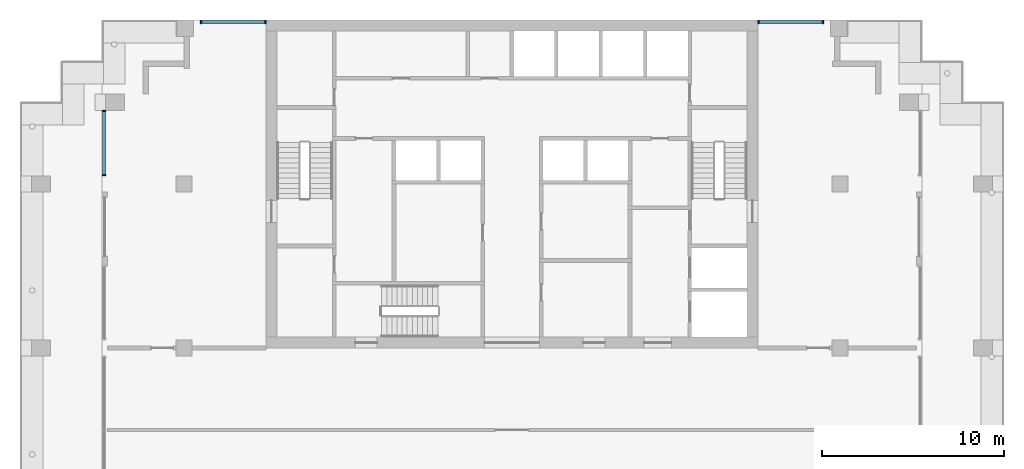
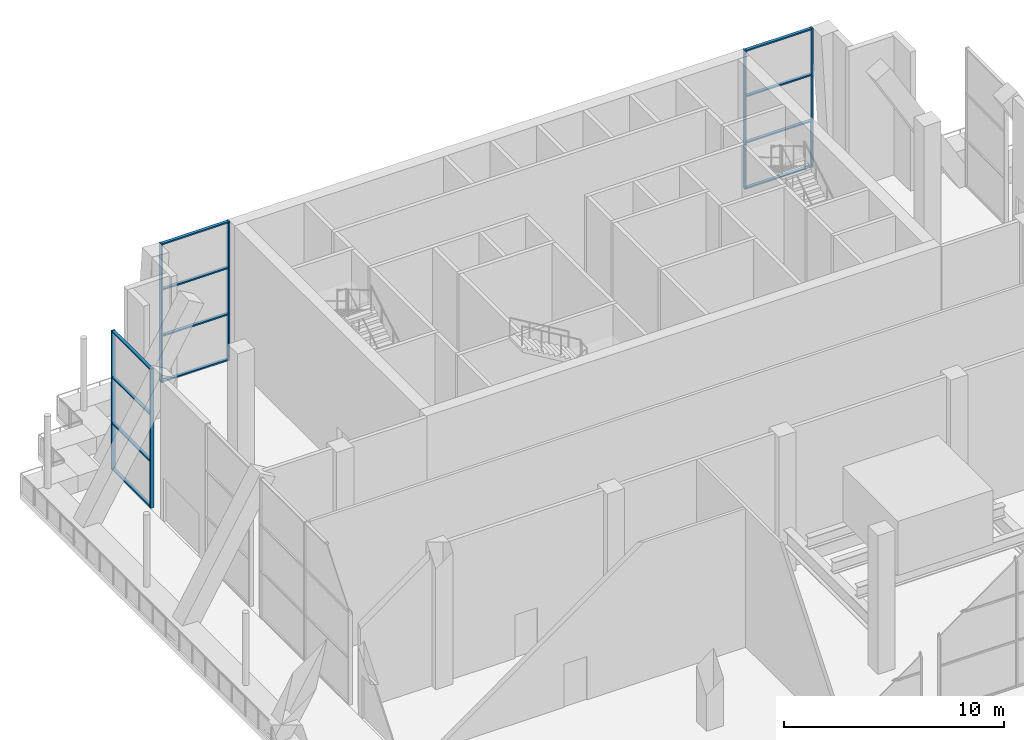
# One storey, part 4 of 12: 18 members, 3 elements without a shape of their own.
"""IFC4 building model written with IfcOpenShell, lengths in metres."""

from ifc_helpers import new_model, si_unit, direction, frame, origin, origin_2d, place, context, subcontext, project, spatial, rectangle, extrude, material, material_profile, profile_set, type_object, element, aggregate, save


model = new_model("IFC4")

# Units and contexts
model_context = context("Model", 3, precision=1e-05, world=origin(), true_north=direction((0.0, 1.0)))
body_context = subcontext(model_context, "Body", "Model", "MODEL_VIEW")
ifc_project = project(units=[si_unit("LENGTHUNIT", "METRE"), si_unit("AREAUNIT", "SQUARE_METRE"), si_unit("VOLUMEUNIT", "CUBIC_METRE"), si_unit("PLANEANGLEUNIT", "RADIAN"), si_unit("MASSUNIT", "GRAM", prefix="KILO")], contexts=[model_context])

# Site, building, storey
site_placement = place(None, origin())
site = spatial("IfcSite", under=ifc_project, at=site_placement, CompositionType="ELEMENT")
building_placement = place(site_placement, origin())
building = spatial("IfcBuilding", under=site, at=building_placement, Name="Orbiselva Terraces", CompositionType="ELEMENT")
storey_placement = place(building_placement, frame((0.0, 0.0, 289.4)))
storey = spatial("IfcBuildingStorey", under=building, at=storey_placement, Name="L73", CompositionType="ELEMENT", Elevation=289.4)

# Curtain wall, members
ifc_material_1 = material(Name="Clear low-e glazing in aluminium frame", Category="aluminium")
curtain_wall_type = type_object("IfcCurtainWallType", Name="ENV-CW-TMD", PredefinedType="NOTDEFINED", material=ifc_material_1)
curtain_wall_1_placement = place(storey_placement, origin())
curtain_wall_1 = element("IfcCurtainWall", 1, at=curtain_wall_1_placement, inside=storey, type_object=curtain_wall_type, Name="Curtain wall L73 NE", PredefinedType="NOTDEFINED")
ifc_material_2 = material(Name="Anodised aluminium", Category="aluminium")
ifc_material_profile_1 = material_profile(ifc_material_2, rectangle(XDim=0.2, YDim=0.075, at=origin_2d()), Name="AL 75x200")
ifc_profile_set_1 = profile_set([ifc_material_profile_1], Name="Anodised aluminium")
member_type_1 = type_object("IfcMemberType", Name="ENV-CW-TMD-MULLION-75x200", PredefinedType="MULLION", material=ifc_profile_set_1)
member_1_placement = place(storey_placement, frame((17.0625, 22.4, 0.0), z_axis=(0.0, 0.0, 1.0), x_axis=(0.0, -1.0, 0.0)))
member_1 = element("IfcMember", 2, at=member_1_placement, type_object=member_type_1, Name="CW4 mullion 1", PredefinedType="MULLION", context=body_context, shape_type="SweptSolid", body=[
    extrude(rectangle(XDim=0.2, YDim=0.075, at=origin_2d()), origin(), (0.0, 0.0, 1.0), 7.7),
])
member_2_placement = place(storey_placement, frame((13.5375, 22.4, 0.0), z_axis=(0.0, 0.0, 1.0), x_axis=(0.0, -1.0, 0.0)))
member_2 = element("IfcMember", 3, at=member_2_placement, type_object=member_type_1, Name="CW4 mullion 2", PredefinedType="MULLION", context=body_context, shape_type="SweptSolid", body=[
    extrude(rectangle(XDim=0.2, YDim=0.075, at=origin_2d()), origin(), (0.0, 0.0, 1.0), 7.7),
])

curtain_wall_2_placement = place(storey_placement, origin())
curtain_wall_2 = element("IfcCurtainWall", 4, at=curtain_wall_2_placement, inside=storey, type_object=curtain_wall_type, Name="Curtain wall L73 NW", PredefinedType="NOTDEFINED")
member_3_placement = place(storey_placement, frame((-13.5375, 22.4, 0.0), z_axis=(0.0, 0.0, 1.0), x_axis=(0.0, -1.0, 0.0)))
member_3 = element("IfcMember", 5, at=member_3_placement, type_object=member_type_1, Name="CW4 mullion 1", PredefinedType="MULLION", context=body_context, shape_type="SweptSolid", body=[
    extrude(rectangle(XDim=0.2, YDim=0.075, at=origin_2d()), origin(), (0.0, 0.0, 1.0), 7.7),
])
member_4_placement = place(storey_placement, frame((-17.0625, 22.4, 0.0), z_axis=(0.0, 0.0, 1.0), x_axis=(0.0, -1.0, 0.0)))
member_4 = element("IfcMember", 6, at=member_4_placement, type_object=member_type_1, Name="CW4 mullion 2", PredefinedType="MULLION", context=body_context, shape_type="SweptSolid", body=[
    extrude(rectangle(XDim=0.2, YDim=0.075, at=origin_2d()), origin(), (0.0, 0.0, 1.0), 7.7),
])

curtain_wall_3_placement = place(storey_placement, origin())
curtain_wall_3 = element("IfcCurtainWall", 7, at=curtain_wall_3_placement, inside=storey, type_object=curtain_wall_type, Name="Curtain wall L73 W", PredefinedType="NOTDEFINED")
member_5_placement = place(storey_placement, frame((-22.4, 17.5125, 0.0), z_axis=(0.0, 0.0, 1.0), x_axis=(1.0, 0.0, 0.0)))
member_5 = element("IfcMember", 8, at=member_5_placement, type_object=member_type_1, Name="CW4 mullion 1", PredefinedType="MULLION", context=body_context, shape_type="SweptSolid", body=[
    extrude(rectangle(XDim=0.2, YDim=0.075, at=origin_2d()), origin(), (0.0, 0.0, 1.0), 7.7),
])
member_6_placement = place(storey_placement, frame((-22.4, 13.9875, 0.0), z_axis=(0.0, 0.0, 1.0), x_axis=(1.0, 0.0, 0.0)))
member_6 = element("IfcMember", 9, at=member_6_placement, type_object=member_type_1, Name="CW4 mullion 2", PredefinedType="MULLION", context=body_context, shape_type="SweptSolid", body=[
    extrude(rectangle(XDim=0.2, YDim=0.075, at=origin_2d()), origin(), (0.0, 0.0, 1.0), 7.7),
])

# Member
ifc_material_profile_2 = material_profile(ifc_material_2, rectangle(XDim=0.16, YDim=0.075, at=origin_2d()), Name="AL 75x160")
ifc_profile_set_2 = profile_set([ifc_material_profile_2], Name="Anodised aluminium")
member_type_2 = type_object("IfcMemberType", Name="ENV-CW-TMD-TRANSOM-75x160", PredefinedType="USERDEFINED", material=ifc_profile_set_2)
member_7_placement = place(storey_placement, frame((17.025, 22.4, 0.0375), z_axis=(-1.0, 0.0, 0.0), x_axis=(0.0, -1.0, 0.0)))
member_7 = element("IfcMember", 10, at=member_7_placement, type_object=member_type_2, Name="CW4 transom 1.1", ObjectType="TRANSOM", PredefinedType="USERDEFINED", context=body_context, shape_type="SweptSolid", body=[
    extrude(rectangle(XDim=0.16, YDim=0.075, at=origin_2d()), origin(), (0.0, 0.0, 1.0), 3.45),
])

member_8_placement = place(storey_placement, frame((17.025, 22.4, 2.566667), z_axis=(-1.0, 0.0, 0.0), x_axis=(0.0, -1.0, 0.0)))
member_8 = element("IfcMember", 11, at=member_8_placement, type_object=member_type_2, Name="CW4 transom 1.2", ObjectType="TRANSOM", PredefinedType="USERDEFINED", context=body_context, shape_type="SweptSolid", body=[
    extrude(rectangle(XDim=0.16, YDim=0.075, at=origin_2d()), origin(), (0.0, 0.0, 1.0), 3.45),
])

member_9_placement = place(storey_placement, frame((17.025, 22.4, 5.133333), z_axis=(-1.0, 0.0, 0.0), x_axis=(0.0, -1.0, 0.0)))
member_9 = element("IfcMember", 12, at=member_9_placement, type_object=member_type_2, Name="CW4 transom 1.3", ObjectType="TRANSOM", PredefinedType="USERDEFINED", context=body_context, shape_type="SweptSolid", body=[
    extrude(rectangle(XDim=0.16, YDim=0.075, at=origin_2d()), origin(), (0.0, 0.0, 1.0), 3.45),
])

member_10_placement = place(storey_placement, frame((17.025, 22.4, 7.6625), z_axis=(-1.0, 0.0, 0.0), x_axis=(0.0, -1.0, 0.0)))
member_10 = element("IfcMember", 13, at=member_10_placement, type_object=member_type_2, Name="CW4 transom 1.4", ObjectType="TRANSOM", PredefinedType="USERDEFINED", context=body_context, shape_type="SweptSolid", body=[
    extrude(rectangle(XDim=0.16, YDim=0.075, at=origin_2d()), origin(), (0.0, 0.0, 1.0), 3.45),
])

aggregate(curtain_wall_1, [member_1, member_2, member_7, member_8, member_9, member_10])

member_11_placement = place(storey_placement, frame((-13.575, 22.4, 0.0375), z_axis=(-1.0, 0.0, 0.0), x_axis=(0.0, -1.0, 0.0)))
member_11 = element("IfcMember", 14, at=member_11_placement, type_object=member_type_2, Name="CW4 transom 1.1", ObjectType="TRANSOM", PredefinedType="USERDEFINED", context=body_context, shape_type="SweptSolid", body=[
    extrude(rectangle(XDim=0.16, YDim=0.075, at=origin_2d()), origin(), (0.0, 0.0, 1.0), 3.45),
])

member_12_placement = place(storey_placement, frame((-13.575, 22.4, 2.566667), z_axis=(-1.0, 0.0, 0.0), x_axis=(0.0, -1.0, 0.0)))
member_12 = element("IfcMember", 15, at=member_12_placement, type_object=member_type_2, Name="CW4 transom 1.2", ObjectType="TRANSOM", PredefinedType="USERDEFINED", context=body_context, shape_type="SweptSolid", body=[
    extrude(rectangle(XDim=0.16, YDim=0.075, at=origin_2d()), origin(), (0.0, 0.0, 1.0), 3.45),
])

member_13_placement = place(storey_placement, frame((-13.575, 22.4, 5.133333), z_axis=(-1.0, 0.0, 0.0), x_axis=(0.0, -1.0, 0.0)))
member_13 = element("IfcMember", 16, at=member_13_placement, type_object=member_type_2, Name="CW4 transom 1.3", ObjectType="TRANSOM", PredefinedType="USERDEFINED", context=body_context, shape_type="SweptSolid", body=[
    extrude(rectangle(XDim=0.16, YDim=0.075, at=origin_2d()), origin(), (0.0, 0.0, 1.0), 3.45),
])

member_14_placement = place(storey_placement, frame((-13.575, 22.4, 7.6625), z_axis=(-1.0, 0.0, 0.0), x_axis=(0.0, -1.0, 0.0)))
member_14 = element("IfcMember", 17, at=member_14_placement, type_object=member_type_2, Name="CW4 transom 1.4", ObjectType="TRANSOM", PredefinedType="USERDEFINED", context=body_context, shape_type="SweptSolid", body=[
    extrude(rectangle(XDim=0.16, YDim=0.075, at=origin_2d()), origin(), (0.0, 0.0, 1.0), 3.45),
])

aggregate(curtain_wall_2, [member_3, member_4, member_11, member_12, member_13, member_14])

member_15_placement = place(storey_placement, frame((-22.4, 17.475, 0.0375), z_axis=(0.0, -1.0, 0.0), x_axis=(1.0, 0.0, 0.0)))
member_15 = element("IfcMember", 18, at=member_15_placement, type_object=member_type_2, Name="CW4 transom 1.1", ObjectType="TRANSOM", PredefinedType="USERDEFINED", context=body_context, shape_type="SweptSolid", body=[
    extrude(rectangle(XDim=0.16, YDim=0.075, at=origin_2d()), origin(), (0.0, 0.0, 1.0), 3.45),
])

member_16_placement = place(storey_placement, frame((-22.4, 17.475, 2.566667), z_axis=(0.0, -1.0, 0.0), x_axis=(1.0, 0.0, 0.0)))
member_16 = element("IfcMember", 19, at=member_16_placement, type_object=member_type_2, Name="CW4 transom 1.2", ObjectType="TRANSOM", PredefinedType="USERDEFINED", context=body_context, shape_type="SweptSolid", body=[
    extrude(rectangle(XDim=0.16, YDim=0.075, at=origin_2d()), origin(), (0.0, 0.0, 1.0), 3.45),
])

member_17_placement = place(storey_placement, frame((-22.4, 17.475, 5.133333), z_axis=(0.0, -1.0, 0.0), x_axis=(1.0, 0.0, 0.0)))
member_17 = element("IfcMember", 20, at=member_17_placement, type_object=member_type_2, Name="CW4 transom 1.3", ObjectType="TRANSOM", PredefinedType="USERDEFINED", context=body_context, shape_type="SweptSolid", body=[
    extrude(rectangle(XDim=0.16, YDim=0.075, at=origin_2d()), origin(), (0.0, 0.0, 1.0), 3.45),
])

member_18_placement = place(storey_placement, frame((-22.4, 17.475, 7.6625), z_axis=(0.0, -1.0, 0.0), x_axis=(1.0, 0.0, 0.0)))
member_18 = element("IfcMember", 21, at=member_18_placement, type_object=member_type_2, Name="CW4 transom 1.4", ObjectType="TRANSOM", PredefinedType="USERDEFINED", context=body_context, shape_type="SweptSolid", body=[
    extrude(rectangle(XDim=0.16, YDim=0.075, at=origin_2d()), origin(), (0.0, 0.0, 1.0), 3.45),
])

aggregate(curtain_wall_3, [member_5, member_6, member_15, member_16, member_17, member_18])

save(model, "model.ifc")
